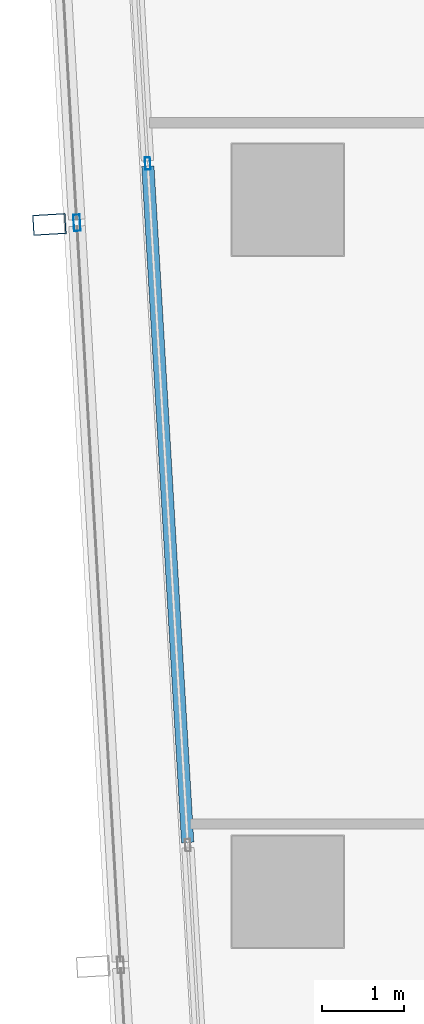
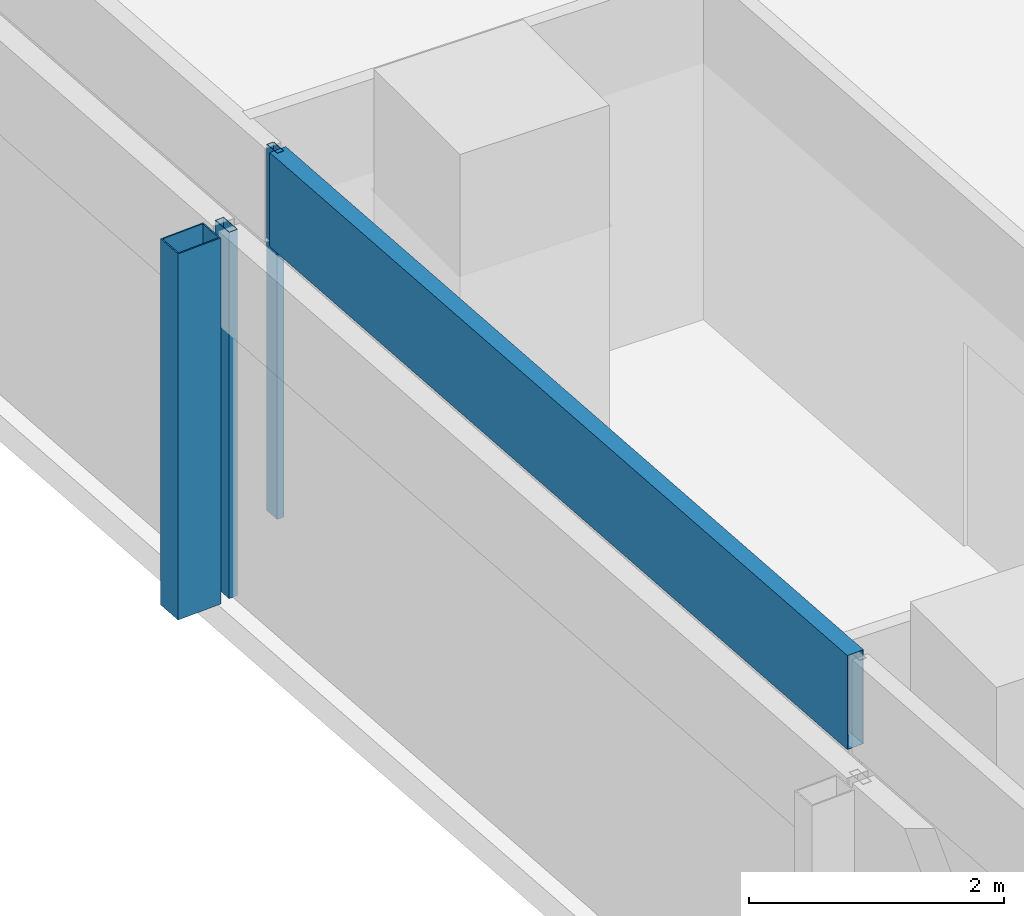
# One storey, part 8 of 38: 4 members, 2 elements without a shape of their own.
"""IFC4 building model written with IfcOpenShell, lengths in metres."""

from ifc_helpers import new_model, si_unit, direction, frame, origin, origin_2d, place, context, subcontext, project, spatial, hollow_rectangle, extrude, material, material_profile, profile_set, type_object, element, aggregate, save


model = new_model("IFC4")

# Units and contexts
model_context = context("Model", 3, precision=1e-05, world=origin(), true_north=direction((0.0, 1.0)))
body_context = subcontext(model_context, "Body", "Model", "MODEL_VIEW")
ifc_project = project(units=[si_unit("LENGTHUNIT", "METRE"), si_unit("AREAUNIT", "SQUARE_METRE"), si_unit("VOLUMEUNIT", "CUBIC_METRE"), si_unit("PLANEANGLEUNIT", "RADIAN"), si_unit("MASSUNIT", "GRAM", prefix="KILO")], contexts=[model_context])

# Site, building, storey
site_placement = place(None, origin())
site = spatial("IfcSite", under=ifc_project, at=site_placement, CompositionType="ELEMENT")
building_placement = place(site_placement, origin())
building = spatial("IfcBuilding", under=site, at=building_placement, Name="Rekha Terrace Tower", CompositionType="ELEMENT")
storey_placement = place(building_placement, frame((0.0, 0.0, 202.699951171875)))
storey = spatial("IfcBuildingStorey", under=building, at=storey_placement, Name="L51", CompositionType="ELEMENT", Elevation=202.699951171875)

# Curtain wall, member
ifc_material_1 = material(Name="Aluminium framing", Category="aluminium")
curtain_wall_type_1 = type_object("IfcCurtainWallType", Name="CW2 double skin outer glazing", PredefinedType="USERDEFINED", material=ifc_material_1)
curtain_wall_1_placement = place(storey_placement, origin())
curtain_wall_1 = element("IfcCurtainWall", 1, at=curtain_wall_1_placement, inside=storey, type_object=curtain_wall_type_1, Name="CW2 double skin outer glazing", ObjectType="DOUBLE SKIN OUTER GLAZING", PredefinedType="USERDEFINED")
ifc_material_2 = material(Name="Steel S355 with fluorocarbon finish", Category="steel")
ifc_material_profile_1 = material_profile(ifc_material_2, hollow_rectangle(XDim=0.25, YDim=0.39990234375, WallThickness=0.012451171875, at=origin_2d()), Name="RHS400x250x12.5")
ifc_profile_set_1 = profile_set([ifc_material_profile_1], Name="Steel S355 with fluorocarbon finish")
member_type_1 = type_object("IfcMemberType", Name="BL1 facade blade RHS 400 x 250", PredefinedType="USERDEFINED", material=ifc_profile_set_1)
member_1_placement = place(storey_placement, frame((5.50634765625, 33.300048828125, 0.0), z_axis=(0.0, 0.0, 1.0), x_axis=(0.058764522885, -0.998271872212, 0.0)))
member_1 = element("IfcMember", 2, at=member_1_placement, type_object=member_type_1, Name="Facade blade", ObjectType="FACADE BLADE", PredefinedType="USERDEFINED", context=body_context, shape_type="SweptSolid", body=[
    extrude(hollow_rectangle(XDim=0.25, YDim=0.39990234375, WallThickness=0.012451171875, at=origin_2d()), origin(), (0.0, 0.0, 1.0), 3.5),
])

# Curtain wall, members
curtain_wall_type_2 = type_object("IfcCurtainWallType", Name="CW1 double skin inner glazing", PredefinedType="USERDEFINED", material=ifc_material_1)
curtain_wall_2_placement = place(storey_placement, origin())
curtain_wall_2 = element("IfcCurtainWall", 3, at=curtain_wall_2_placement, inside=storey, type_object=curtain_wall_type_2, Name="CW1 double skin inner glazing", ObjectType="DOUBLE SKIN INNER GLAZING", PredefinedType="USERDEFINED")
ifc_material_3 = material(Name="Aluminium mullion section", Category="aluminium")
ifc_material_profile_2 = material_profile(ifc_material_3, hollow_rectangle(XDim=0.06494140625, YDim=0.14990234375, WallThickness=0.00390625, at=origin_2d()), Name="AL RHS 65x150")
ifc_profile_set_2 = profile_set([ifc_material_profile_2], Name="Aluminium mullion section")
member_type_2 = type_object("IfcMemberType", Name="CW1 mullion RHS 65 x 150", PredefinedType="MULLION", material=ifc_profile_set_2)
member_2_placement = place(storey_placement, frame((6.69970703125, 34.040283203125, 0.0), z_axis=(0.0, 0.0, 1.0), x_axis=(0.998271839269, 0.058765082516, 0.0)))
member_2 = element("IfcMember", 4, at=member_2_placement, type_object=member_type_2, Name="CW1 mullion 2", PredefinedType="MULLION", context=body_context, shape_type="SweptSolid", body=[
    extrude(hollow_rectangle(XDim=0.06494140625, YDim=0.14990234375, WallThickness=0.00390625, at=origin_2d()), origin(), (0.0, 0.0, 1.0), 3.5),
])
ifc_material_4 = material(Name="Insulated aluminium spandrel box", Category="aluminium")
ifc_material_profile_3 = material_profile(ifc_material_4, hollow_rectangle(XDim=0.14990234375, YDim=0.89990234375, WallThickness=0.0029296875, at=origin_2d()), Name="AL SPANDREL BOX 150x900")
ifc_profile_set_3 = profile_set([ifc_material_profile_3], Name="Insulated aluminium spandrel box")
member_type_3 = type_object("IfcMemberType", Name="CW1 spandrel transom 150 x 900", PredefinedType="USERDEFINED", material=ifc_profile_set_3)
member_3_placement = place(storey_placement, frame((6.70166015625, 34.0078125, 3.050048828125), z_axis=(0.058782934148, -0.99827078824, 0.0), x_axis=(0.99827078824, 0.058782934148, 0.0)))
member_3 = element("IfcMember", 5, at=member_3_placement, type_object=member_type_3, Name="CW1 spandrel transom 2", ObjectType="TRANSOM", PredefinedType="USERDEFINED", context=body_context, shape_type="SweptSolid", body=[
    extrude(hollow_rectangle(XDim=0.14990234375, YDim=0.89990234375, WallThickness=0.0029296875, at=origin_2d()), origin(), (0.0, 0.0, 1.0), 8.223388671875),
])
aggregate(curtain_wall_2, [member_2, member_3])

# Member
ifc_material_profile_4 = material_profile(ifc_material_3, hollow_rectangle(XDim=0.080078125, YDim=0.199951171875, WallThickness=0.00390625, at=origin_2d()), Name="AL RHS 80x200")
ifc_profile_set_4 = profile_set([ifc_material_profile_4], Name="Aluminium mullion section")
member_type_4 = type_object("IfcMemberType", Name="CW2 mullion RHS 80 x 200", PredefinedType="MULLION", material=ifc_profile_set_4)
member_4_placement = place(storey_placement, frame((5.840576171875, 33.31982421875, 0.0), z_axis=(0.0, 0.0, 1.0), x_axis=(0.99827183927, 0.058765082499, 0.0)))
member_4 = element("IfcMember", 6, at=member_4_placement, type_object=member_type_4, Name="CW2 mullion 2", PredefinedType="MULLION", context=body_context, shape_type="SweptSolid", body=[
    extrude(hollow_rectangle(XDim=0.080078125, YDim=0.199951171875, WallThickness=0.00390625, at=origin_2d()), origin(), (0.0, 0.0, 1.0), 3.5),
])

aggregate(curtain_wall_1, [member_4, member_1])

save(model, "model.ifc")
